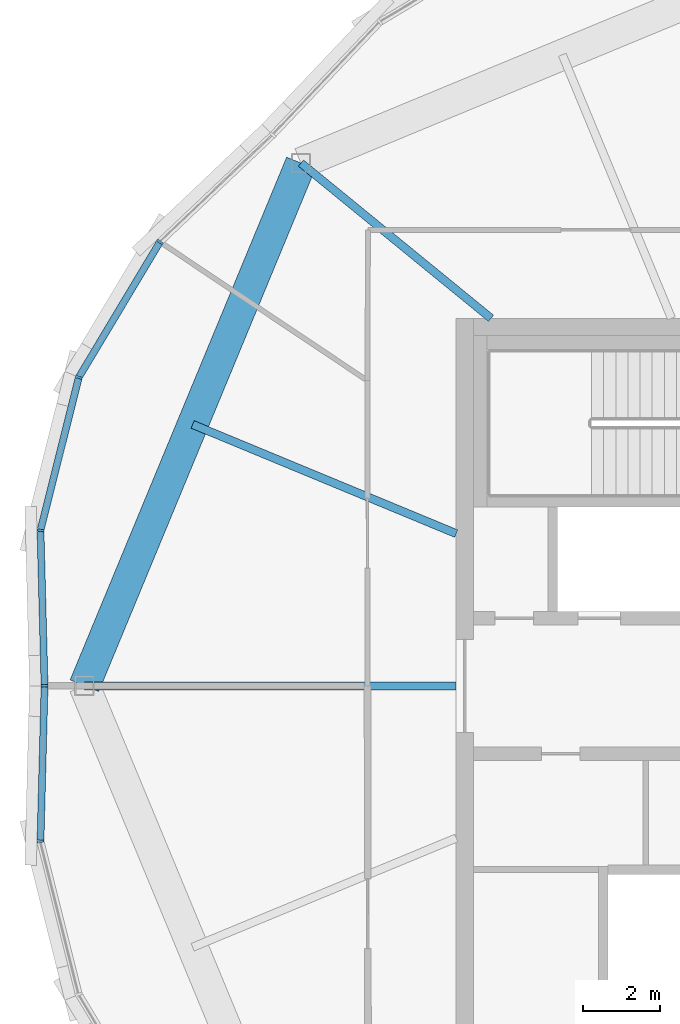
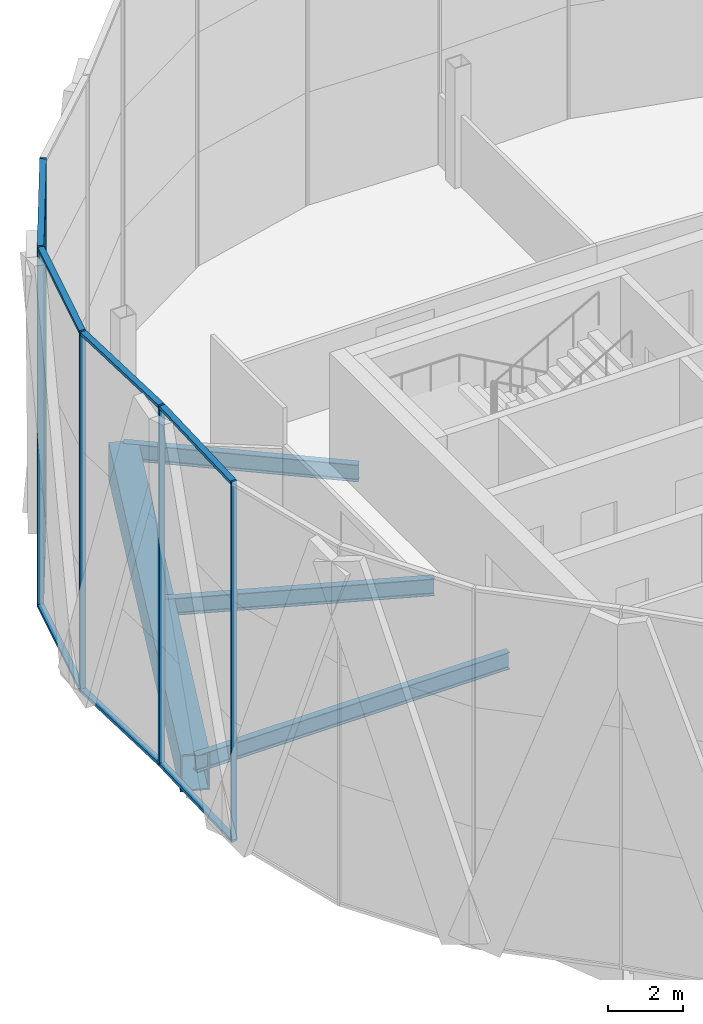
# One storey, part 5 of 22: 13 members, 4 beams, 2 elements without a shape of their own.
"""IFC4 building model written with IfcOpenShell, lengths in metres."""

from ifc_helpers import new_model, si_unit, direction, frame, origin, origin_2d, place, context, subcontext, project, spatial, rectangle, hollow_rectangle, i_section, extrude, material, material_profile, profile_set, type_object, element, aggregate, save


model = new_model("IFC4")

# Units and contexts
model_context = context("Model", 3, precision=1e-05, world=origin(), true_north=direction((0.0, 1.0)))
body_context = subcontext(model_context, "Body", "Model", "MODEL_VIEW")
ifc_project = project(units=[si_unit("LENGTHUNIT", "METRE"), si_unit("AREAUNIT", "SQUARE_METRE"), si_unit("VOLUMEUNIT", "CUBIC_METRE"), si_unit("PLANEANGLEUNIT", "RADIAN"), si_unit("MASSUNIT", "GRAM", prefix="KILO")], contexts=[model_context])

# Site, building, storey
site_placement = place(None, origin())
site = spatial("IfcSite", under=ifc_project, at=site_placement, CompositionType="ELEMENT")
building_placement = place(site_placement, origin())
building = spatial("IfcBuilding", under=site, at=building_placement, Name="Ogive Gate Towers", CompositionType="ELEMENT")
storey_placement = place(building_placement, frame((0.0, 0.0, 228.89990234375)))
storey = spatial("IfcBuildingStorey", under=building, at=storey_placement, Name="L54", CompositionType="ELEMENT", Elevation=228.89990234375)

# Beams
ifc_material_1 = material(Name="Steel SM460", Category="steel")
ifc_material_profile_1 = material_profile(ifc_material_1, hollow_rectangle(XDim=0.800048828125, YDim=1.199951171875, WallThickness=0.050048828125, at=origin_2d()), Name="BX 1200x800x50")
ifc_profile_set_1 = profile_set([ifc_material_profile_1], Name="Steel SM460")
beam_type_1 = type_object("IfcBeamType", Name="Edge girder BX 1200x800x50", PredefinedType="BEAM", material=ifc_profile_set_1)
beam_1_placement = place(storey_placement, frame((-49.5126953125, 13.5126953125, -0.89990234375), z_axis=(-0.38269921506, -0.923872994947, 0.0), x_axis=(0.923872994947, -0.38269921506, 0.0)))
element("IfcBeam", 1, at=beam_1_placement, inside=storey, type_object=beam_type_1, Name="T1/L54/SBM023", PredefinedType="BEAM", context=body_context, shape_type="SweptSolid", body=[
    extrude(hollow_rectangle(XDim=0.800048828125, YDim=1.199951171875, WallThickness=0.050048828125, at=origin_2d()), origin(), (0.0, 0.0, 1.0), 14.626220703125),
])
ifc_material_2 = material(Name="Steel SM355", Category="steel")
ifc_material_profile_2 = material_profile(ifc_material_2, i_section(OverallWidth=0.2099609375, OverallDepth=0.550048828125, WebThickness=0.010986328125, FlangeThickness=0.01708984375, FilletRadius=0.02392578125, at=origin_2d()), Name="IPE 550")
ifc_profile_set_2 = profile_set([ifc_material_profile_2], Name="Steel SM355")
beam_type_2 = type_object("IfcBeamType", Name="Radial floor beam IPE 550", PredefinedType="BEAM", material=ifc_profile_set_2)
beam_2_placement = place(storey_placement, frame((-44.60009765625, 9.5, -0.574951171875), z_axis=(-0.774474926523, 0.632604606517, 0.0), x_axis=(-0.632604606517, -0.774474926523, 0.0)))
element("IfcBeam", 2, at=beam_2_placement, inside=storey, type_object=beam_type_2, Name="T1/L54/SBM013", PredefinedType="BEAM", context=body_context, shape_type="SweptSolid", body=[
    extrude(i_section(OverallWidth=0.2099609375, OverallDepth=0.550048828125, WebThickness=0.010986328125, FlangeThickness=0.01708984375, FilletRadius=0.02392578125, at=origin_2d()), origin(), (0.0, 0.0, 1.0), 6.343017578125),
])
beam_3_placement = place(storey_placement, frame((-45.5, 3.93505859375, -0.574951171875), z_axis=(-0.923886069806, 0.382667649558, 0.0), x_axis=(-0.382667649558, -0.923886069806, 0.0)))
element("IfcBeam", 3, at=beam_3_placement, inside=storey, type_object=beam_type_2, Name="T1/L54/SBM014", PredefinedType="BEAM", context=body_context, shape_type="SweptSolid", body=[
    extrude(i_section(OverallWidth=0.2099609375, OverallDepth=0.550048828125, WebThickness=0.010986328125, FlangeThickness=0.01708984375, FilletRadius=0.02392578125, at=origin_2d()), origin(), (0.0, 0.0, 1.0), 7.372802734375),
])
beam_4_placement = place(storey_placement, frame((-45.5, 0.0, -0.574951171875), z_axis=(-1.0, 0.0, 0.0), x_axis=(0.0, -1.0, 0.0)))
element("IfcBeam", 4, at=beam_4_placement, inside=storey, type_object=beam_type_2, Name="T1/L54/SBM015", PredefinedType="BEAM", context=body_context, shape_type="SweptSolid", body=[
    extrude(i_section(OverallWidth=0.2099609375, OverallDepth=0.550048828125, WebThickness=0.010986328125, FlangeThickness=0.01708984375, FilletRadius=0.02392578125, at=origin_2d()), origin(), (0.0, 0.0, 1.0), 9.610107421875),
])

# Curtain wall, members
ifc_material_3 = material(Name="Pale metal aluminium", Category="aluminium")
curtain_wall_type = type_object("IfcCurtainWallType", Name="Tower unitised wall, high zone", PredefinedType="NOTDEFINED", material=ifc_material_3)
curtain_wall_1_placement = place(storey_placement, origin())
curtain_wall_1 = element("IfcCurtainWall", 5, at=curtain_wall_1_placement, inside=storey, type_object=curtain_wall_type, Name="CW2 T1 ECW04", PredefinedType="NOTDEFINED")
ifc_material_profile_3 = material_profile(ifc_material_3, rectangle(XDim=0.179931640625, YDim=0.06005859375, at=origin_2d()), Name="60 x 180 aluminium box")
ifc_profile_set_3 = profile_set([ifc_material_profile_3], Name="Pale metal aluminium")
member_type_1 = type_object("IfcMemberType", Name="Tower unitised wall, high zone mullion 60 x 180", PredefinedType="MULLION", material=ifc_profile_set_3)
member_1_placement = place(storey_placement, frame((-53.15771484375, 11.473876953125, -0.2998046875), z_axis=(0.0, 0.0, 1.0), x_axis=(-0.780201191521, 0.625528657017, 0.0)))
member_1 = element("IfcMember", 6, at=member_1_placement, type_object=member_type_1, Name="CW2 mullion", PredefinedType="MULLION", context=body_context, shape_type="SweptSolid", body=[
    extrude(rectangle(XDim=0.179931640625, YDim=0.06005859375, at=origin_2d()), origin(), (0.0, 0.0, 1.0), 11.699951171875),
])
member_2_placement = place(storey_placement, frame((-55.254638671875, 7.9755859375, -0.2998046875), z_axis=(0.0, 0.0, 1.0), x_axis=(-0.923872853285, 0.382699557047, 0.0)))
member_2 = element("IfcMember", 7, at=member_2_placement, type_object=member_type_1, Name="CW2 mullion", PredefinedType="MULLION", context=body_context, shape_type="SweptSolid", body=[
    extrude(rectangle(XDim=0.179931640625, YDim=0.06005859375, at=origin_2d()), origin(), (0.0, 0.0, 1.0), 11.699951171875),
])
member_3_placement = place(storey_placement, frame((-56.24560546875, 4.01904296875, -0.2998046875), z_axis=(0.0, 0.0, 1.0), x_axis=(-0.994001108417, 0.109369998011, 0.0)))
member_3 = element("IfcMember", 8, at=member_3_placement, type_object=member_type_1, Name="CW2 mullion", PredefinedType="MULLION", context=body_context, shape_type="SweptSolid", body=[
    extrude(rectangle(XDim=0.179931640625, YDim=0.06005859375, at=origin_2d()), origin(), (0.0, 0.0, 1.0), 11.699951171875),
])
member_4_placement = place(storey_placement, frame((-56.139892578125, 0.000244140625, -0.2998046875), z_axis=(0.0, 0.0, 1.0), x_axis=(-0.999655952983, -0.026229290207, 0.0)))
member_4 = element("IfcMember", 9, at=member_4_placement, type_object=member_type_1, Name="CW2 mullion", PredefinedType="MULLION", context=body_context, shape_type="SweptSolid", body=[
    extrude(rectangle(XDim=0.179931640625, YDim=0.06005859375, at=origin_2d()), origin(), (0.0, 0.0, 1.0), 11.699951171875),
])

# Curtain wall, member
curtain_wall_2_placement = place(storey_placement, origin())
curtain_wall_2 = element("IfcCurtainWall", 10, at=curtain_wall_2_placement, inside=storey, type_object=curtain_wall_type, Name="CW2 T1 ECW05", PredefinedType="NOTDEFINED")
member_5_placement = place(storey_placement, frame((-56.24560546875, -4.01904296875, -0.2998046875), z_axis=(0.0, 0.0, 1.0), x_axis=(-0.994001108417, -0.109369998011, 0.0)))
member_5 = element("IfcMember", 11, at=member_5_placement, type_object=member_type_1, Name="CW2 mullion", PredefinedType="MULLION", context=body_context, shape_type="SweptSolid", body=[
    extrude(rectangle(XDim=0.179931640625, YDim=0.06005859375, at=origin_2d()), origin(), (0.0, 0.0, 1.0), 11.699951171875),
])

# Member
ifc_material_profile_4 = material_profile(ifc_material_3, rectangle(XDim=0.179931640625, YDim=0.10009765625, at=origin_2d()), Name="100 x 180 aluminium box")
ifc_profile_set_4 = profile_set([ifc_material_profile_4], Name="Pale metal aluminium")
member_type_2 = type_object("IfcMemberType", Name="Tower unitised wall, high zone transom 100 x 180", PredefinedType="USERDEFINED", material=ifc_profile_set_4)
member_6_placement = place(storey_placement, frame((-53.172119140625, 11.44921875, 11.35009765625), z_axis=(-0.514192185894, -0.857674994369, 0.0), x_axis=(0.857674994369, -0.514192185894, 0.0)))
member_6 = element("IfcMember", 12, at=member_6_placement, type_object=member_type_2, Name="CW2 transom", ObjectType="TRANSOM", PredefinedType="USERDEFINED", context=body_context, shape_type="SweptSolid", body=[
    extrude(rectangle(XDim=0.179931640625, YDim=0.10009765625, at=origin_2d()), origin(), (0.0, 0.0, 1.0), 4.021484375),
])

member_7_placement = place(storey_placement, frame((-53.172119140625, 11.44921875, -0.25), z_axis=(-0.514192185894, -0.857674994369, 0.0), x_axis=(0.857674994369, -0.514192185894, 0.0)))
member_7 = element("IfcMember", 13, at=member_7_placement, type_object=member_type_2, Name="CW2 transom", ObjectType="TRANSOM", PredefinedType="USERDEFINED", context=body_context, shape_type="SweptSolid", body=[
    extrude(rectangle(XDim=0.179931640625, YDim=0.10009765625, at=origin_2d()), origin(), (0.0, 0.0, 1.0), 4.021484375),
])

member_8_placement = place(storey_placement, frame((-55.261474609375, 7.947998046875, 11.35009765625), z_axis=(-0.242949839653, -0.970038852527, 0.0), x_axis=(0.970038852527, -0.242949839653, 0.0)))
member_8 = element("IfcMember", 14, at=member_8_placement, type_object=member_type_2, Name="CW2 transom", ObjectType="TRANSOM", PredefinedType="USERDEFINED", context=body_context, shape_type="SweptSolid", body=[
    extrude(rectangle(XDim=0.179931640625, YDim=0.10009765625, at=origin_2d()), origin(), (0.0, 0.0, 1.0), 4.021728515625),
])

member_9_placement = place(storey_placement, frame((-55.261474609375, 7.947998046875, -0.25), z_axis=(-0.242949839653, -0.970038852527, 0.0), x_axis=(0.970038852527, -0.242949839653, 0.0)))
member_9 = element("IfcMember", 15, at=member_9_placement, type_object=member_type_2, Name="CW2 transom", ObjectType="TRANSOM", PredefinedType="USERDEFINED", context=body_context, shape_type="SweptSolid", body=[
    extrude(rectangle(XDim=0.179931640625, YDim=0.10009765625, at=origin_2d()), origin(), (0.0, 0.0, 1.0), 4.021728515625),
])

member_10_placement = place(storey_placement, frame((-56.24462890625, 3.990478515625, 11.35009765625), z_axis=(0.026191615796, -0.999656940786, 0.0), x_axis=(0.999656940786, 0.026191615796, 0.0)))
member_10 = element("IfcMember", 16, at=member_10_placement, type_object=member_type_2, Name="CW2 transom", ObjectType="TRANSOM", PredefinedType="USERDEFINED", context=body_context, shape_type="SweptSolid", body=[
    extrude(rectangle(XDim=0.179931640625, YDim=0.10009765625, at=origin_2d()), origin(), (0.0, 0.0, 1.0), 3.961669921875),
])

member_11_placement = place(storey_placement, frame((-56.24462890625, 3.990478515625, -0.25), z_axis=(0.026191615796, -0.999656940786, 0.0), x_axis=(0.999656940786, 0.026191615796, 0.0)))
member_11 = element("IfcMember", 17, at=member_11_placement, type_object=member_type_2, Name="CW2 transom", ObjectType="TRANSOM", PredefinedType="USERDEFINED", context=body_context, shape_type="SweptSolid", body=[
    extrude(rectangle(XDim=0.179931640625, YDim=0.10009765625, at=origin_2d()), origin(), (0.0, 0.0, 1.0), 3.961669921875),
])

aggregate(curtain_wall_1, [member_1, member_2, member_6, member_7, member_3, member_8, member_9, member_4, member_10, member_11])

member_12_placement = place(storey_placement, frame((-56.140869140625, -0.0302734375, 11.35009765625), z_axis=(-0.026191615796, -0.999656940786, 0.0), x_axis=(0.999656940786, -0.026191615796, 0.0)))
member_12 = element("IfcMember", 18, at=member_12_placement, type_object=member_type_2, Name="CW2 transom", ObjectType="TRANSOM", PredefinedType="USERDEFINED", context=body_context, shape_type="SweptSolid", body=[
    extrude(rectangle(XDim=0.179931640625, YDim=0.10009765625, at=origin_2d()), origin(), (0.0, 0.0, 1.0), 3.961669921875),
])

member_13_placement = place(storey_placement, frame((-56.140869140625, -0.0302734375, -0.25), z_axis=(-0.026191615796, -0.999656940786, 0.0), x_axis=(0.999656940786, -0.026191615796, 0.0)))
member_13 = element("IfcMember", 19, at=member_13_placement, type_object=member_type_2, Name="CW2 transom", ObjectType="TRANSOM", PredefinedType="USERDEFINED", context=body_context, shape_type="SweptSolid", body=[
    extrude(rectangle(XDim=0.179931640625, YDim=0.10009765625, at=origin_2d()), origin(), (0.0, 0.0, 1.0), 3.961669921875),
])

aggregate(curtain_wall_2, [member_5, member_12, member_13])

save(model, "model.ifc")
